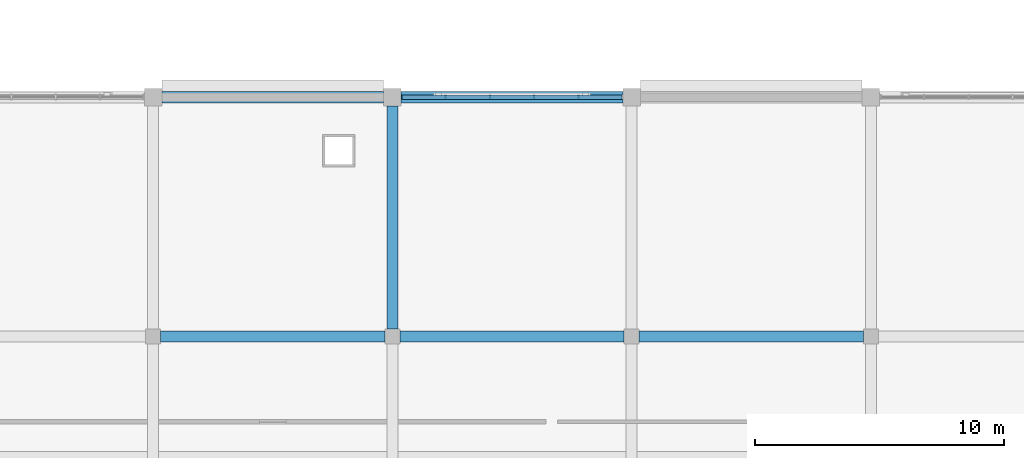
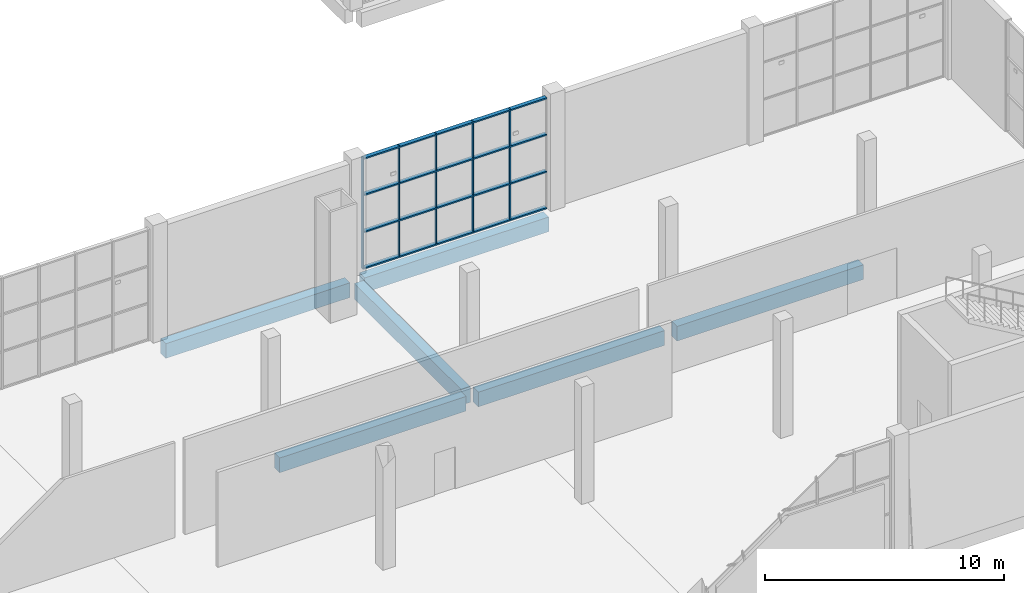
# One storey, part 7 of 84: 9 members, 6 beams, 1 element without a shape of its own.
"""IFC4 building model written with IfcOpenShell, lengths in metres."""

from ifc_helpers import new_model, si_unit, direction, frame, origin, origin_2d, place, context, subcontext, project, spatial, rectangle, extrude, material, material_profile, profile_set, type_object, element, aggregate, save


model = new_model("IFC4")

# Units and contexts
model_context = context("Model", 3, precision=1e-05, world=origin(), true_north=direction((0.0, 1.0)))
body_context = subcontext(model_context, "Body", "Model", "MODEL_VIEW")
ifc_project = project(units=[si_unit("LENGTHUNIT", "METRE"), si_unit("AREAUNIT", "SQUARE_METRE"), si_unit("VOLUMEUNIT", "CUBIC_METRE"), si_unit("PLANEANGLEUNIT", "RADIAN"), si_unit("MASSUNIT", "GRAM", prefix="KILO")], contexts=[model_context])

# Site, building, storey
site_placement = place(None, origin())
site = spatial("IfcSite", under=ifc_project, at=site_placement, CompositionType="ELEMENT")
building_placement = place(site_placement, origin())
building = spatial("IfcBuilding", under=site, at=building_placement, Name="Shalvenor Court Art Gallery", CompositionType="ELEMENT")
storey_placement = place(building_placement, origin())
storey = spatial("IfcBuildingStorey", under=building, at=storey_placement, Name="L00", CompositionType="ELEMENT", Elevation=0.0)

# Beams
ifc_material_1 = material(Name="Concrete C40/50", Category="concrete")
ifc_material_profile_1 = material_profile(ifc_material_1, rectangle(XDim=0.449951171875, YDim=0.800048828125, at=origin_2d()), Name="RC 450x800")
ifc_profile_set_1 = profile_set([ifc_material_profile_1], Name="Concrete C40/50")
beam_type_1 = type_object("IfcBeamType", Name="B-03", PredefinedType="BEAM", material=ifc_profile_set_1)
beam_1_placement = place(storey_placement, frame((38.39990234375, 19.5, -0.739990234375), z_axis=(0.0, 1.0, 0.0), x_axis=(-1.0, 0.0, 0.0)))
element("IfcBeam", 1, at=beam_1_placement, inside=storey, type_object=beam_type_1, Name="L00 Girder BM-L00-B-03-0034", PredefinedType="BEAM", context=body_context, shape_type="SweptSolid", body=[
    extrude(rectangle(XDim=0.449951171875, YDim=0.800048828125, at=origin_2d()), origin(), (0.0, 0.0, 1.0), 8.949951171875),
])
ifc_material_2 = material(Name="Concrete C40/50", Category="concrete")
ifc_material_profile_2 = material_profile(ifc_material_2, rectangle(XDim=0.449951171875, YDim=0.75, at=origin_2d()), Name="RC 450x750")
ifc_profile_set_2 = profile_set([ifc_material_profile_2], Name="Concrete C40/50")
beam_type_2 = type_object("IfcBeamType", Name="B-04", PredefinedType="BEAM", material=ifc_profile_set_2)
for number, where, z_axis, x_axis, name in (
    (2, (29.10009765625, 19.199951171875, -0.715087890625), (1.0, 0.0, 0.0), (0.0, 1.0, 0.0), "L00 Girder BM-L00-B-04-0160"),
    (3, (38.699951171875, 19.199951171875, -0.715087890625), (1.0, 0.0, 0.0), (0.0, 1.0, 0.0), "L00 Girder BM-L00-B-04-0161"),
    (4, (48.300048828125, 19.199951171875, -0.715087890625), (1.0, 0.0, 0.0), (0.0, 1.0, 0.0), "L00 Girder BM-L00-B-04-0162"),
):
    element("IfcBeam", number, at=place(storey_placement, frame(where, z_axis=z_axis, x_axis=x_axis)), inside=storey, type_object=beam_type_2, Name=name, PredefinedType="BEAM", context=body_context, shape_type="SweptSolid", body=[
        extrude(rectangle(XDim=0.449951171875, YDim=0.75, at=origin_2d()), origin(), (0.0, 0.0, 1.0), 9.0),
    ])
beam_2_placement = place(storey_placement, frame((29.14990234375, 28.800048828125, -0.715087890625), z_axis=(1.0, 0.0, 0.0), x_axis=(0.0, 1.0, 0.0)))
element("IfcBeam", 5, at=beam_2_placement, inside=storey, type_object=beam_type_2, Name="L00 Girder BM-L00-B-04-0173", PredefinedType="BEAM", context=body_context, shape_type="SweptSolid", body=[
    extrude(rectangle(XDim=0.449951171875, YDim=0.75, at=origin_2d()), origin(), (0.0, 0.0, 1.0), 8.900146484375),
])
beam_3_placement = place(storey_placement, frame((38.75, 28.800048828125, -0.715087890625), z_axis=(1.0, 0.0, 0.0), x_axis=(0.0, 1.0, 0.0)))
element("IfcBeam", 6, at=beam_3_placement, inside=storey, type_object=beam_type_2, Name="L00 Girder BM-L00-B-04-0174", PredefinedType="BEAM", context=body_context, shape_type="SweptSolid", body=[
    extrude(rectangle(XDim=0.449951171875, YDim=0.75, at=origin_2d()), origin(), (0.0, 0.0, 1.0), 8.89990234375),
])

# Curtain wall, members
ifc_material_3 = material(Name="Anodised aluminium and low-iron glass curtain wall", Category="aluminium")
curtain_wall_type = type_object("IfcCurtainWallType", Name="CW-5x3-89-57-641", PredefinedType="USERDEFINED", material=ifc_material_3)
curtain_wall_placement = place(storey_placement, origin())
curtain_wall = element("IfcCurtainWall", 7, at=curtain_wall_placement, inside=storey, type_object=curtain_wall_type, Name="L00 V4 Curtain Wall CW-L00-119", ObjectType="CURTAIN WALL", PredefinedType="USERDEFINED")
ifc_material_4 = material(Name="Anodised aluminium mullion", Category="aluminium")
ifc_material_profile_3 = material_profile(ifc_material_4, rectangle(XDim=0.054931640625, YDim=0.139892578125, at=origin_2d()), Name="CWM-06")
ifc_profile_set_3 = profile_set([ifc_material_profile_3], Name="Anodised aluminium mullion")
member_type_1 = type_object("IfcMemberType", Name="CWM-06", PredefinedType="MULLION", material=ifc_profile_set_3)
member_1_placement = place(storey_placement, frame((38.777587890625, 28.800048828125, 0.0), z_axis=(0.0, 0.0, 1.0), x_axis=(1.0, 0.0, 0.0)))
member_1 = element("IfcMember", 8, at=member_1_placement, type_object=member_type_1, Name="CW-5x3-89-57-641 mullion 1", PredefinedType="MULLION", context=body_context, shape_type="SweptSolid", body=[
    extrude(rectangle(XDim=0.054931640625, YDim=0.139892578125, at=origin_2d()), origin(), (0.0, 0.0, 1.0), 5.679931640625),
])
member_2_placement = place(storey_placement, frame((40.530029296875, 28.800048828125, 0.0), z_axis=(0.0, 0.0, 1.0), x_axis=(1.0, 0.0, 0.0)))
member_2 = element("IfcMember", 9, at=member_2_placement, type_object=member_type_1, Name="CW-5x3-89-57-641 mullion 2", PredefinedType="MULLION", context=body_context, shape_type="SweptSolid", body=[
    extrude(rectangle(XDim=0.054931640625, YDim=0.139892578125, at=origin_2d()), origin(), (0.0, 0.0, 1.0), 5.679931640625),
])
member_3_placement = place(storey_placement, frame((42.31005859375, 28.800048828125, 0.0), z_axis=(0.0, 0.0, 1.0), x_axis=(1.0, 0.0, 0.0)))
member_3 = element("IfcMember", 10, at=member_3_placement, type_object=member_type_1, Name="CW-5x3-89-57-641 mullion 3", PredefinedType="MULLION", context=body_context, shape_type="SweptSolid", body=[
    extrude(rectangle(XDim=0.054931640625, YDim=0.139892578125, at=origin_2d()), origin(), (0.0, 0.0, 1.0), 5.679931640625),
])
member_4_placement = place(storey_placement, frame((44.090087890625, 28.800048828125, 0.0), z_axis=(0.0, 0.0, 1.0), x_axis=(1.0, 0.0, 0.0)))
member_4 = element("IfcMember", 11, at=member_4_placement, type_object=member_type_1, Name="CW-5x3-89-57-641 mullion 4", PredefinedType="MULLION", context=body_context, shape_type="SweptSolid", body=[
    extrude(rectangle(XDim=0.054931640625, YDim=0.139892578125, at=origin_2d()), origin(), (0.0, 0.0, 1.0), 5.679931640625),
])
member_5_placement = place(storey_placement, frame((45.8701171875, 28.800048828125, 0.0), z_axis=(0.0, 0.0, 1.0), x_axis=(1.0, 0.0, 0.0)))
member_5 = element("IfcMember", 12, at=member_5_placement, type_object=member_type_1, Name="CW-5x3-89-57-641 mullion 5", PredefinedType="MULLION", context=body_context, shape_type="SweptSolid", body=[
    extrude(rectangle(XDim=0.054931640625, YDim=0.139892578125, at=origin_2d()), origin(), (0.0, 0.0, 1.0), 5.679931640625),
])
ifc_material_5 = material(Name="Anodised aluminium transom", Category="aluminium")
ifc_material_profile_4 = material_profile(ifc_material_5, rectangle(XDim=0.18994140625, YDim=0.070068359375, at=origin_2d()), Name="CWT-04")
ifc_profile_set_4 = profile_set([ifc_material_profile_4], Name="Anodised aluminium transom")
member_type_2 = type_object("IfcMemberType", Name="CWT-04", PredefinedType="USERDEFINED", material=ifc_profile_set_4)
member_6_placement = place(storey_placement, frame((38.777587890625, 28.800048828125, 0.034912109375), z_axis=(1.0, 0.0, 0.0), x_axis=(0.0, 1.0, 0.0)))
member_6 = element("IfcMember", 13, at=member_6_placement, type_object=member_type_2, Name="CW-5x3-89-57-641 transom 1", ObjectType="TRANSOM", PredefinedType="USERDEFINED", context=body_context, shape_type="SweptSolid", body=[
    extrude(rectangle(XDim=0.18994140625, YDim=0.070068359375, at=origin_2d()), origin(), (0.0, 0.0, 1.0), 8.844970703125),
])
member_7_placement = place(storey_placement, frame((38.777587890625, 28.800048828125, 1.893310546875), z_axis=(1.0, 0.0, 0.0), x_axis=(0.0, 1.0, 0.0)))
member_7 = element("IfcMember", 14, at=member_7_placement, type_object=member_type_2, Name="CW-5x3-89-57-641 transom 2", ObjectType="TRANSOM", PredefinedType="USERDEFINED", context=body_context, shape_type="SweptSolid", body=[
    extrude(rectangle(XDim=0.18994140625, YDim=0.070068359375, at=origin_2d()), origin(), (0.0, 0.0, 1.0), 8.844970703125),
])
member_8_placement = place(storey_placement, frame((38.777587890625, 28.800048828125, 3.78662109375), z_axis=(1.0, 0.0, 0.0), x_axis=(0.0, 1.0, 0.0)))
member_8 = element("IfcMember", 15, at=member_8_placement, type_object=member_type_2, Name="CW-5x3-89-57-641 transom 3", ObjectType="TRANSOM", PredefinedType="USERDEFINED", context=body_context, shape_type="SweptSolid", body=[
    extrude(rectangle(XDim=0.18994140625, YDim=0.070068359375, at=origin_2d()), origin(), (0.0, 0.0, 1.0), 8.844970703125),
])
member_9_placement = place(storey_placement, frame((38.777587890625, 28.800048828125, 5.64501953125), z_axis=(1.0, 0.0, 0.0), x_axis=(0.0, 1.0, 0.0)))
member_9 = element("IfcMember", 16, at=member_9_placement, type_object=member_type_2, Name="CW-5x3-89-57-641 transom 4", ObjectType="TRANSOM", PredefinedType="USERDEFINED", context=body_context, shape_type="SweptSolid", body=[
    extrude(rectangle(XDim=0.18994140625, YDim=0.070068359375, at=origin_2d()), origin(), (0.0, 0.0, 1.0), 8.844970703125),
])
aggregate(curtain_wall, [member_1, member_2, member_3, member_4, member_5, member_6, member_7, member_8, member_9])

save(model, "model.ifc")
